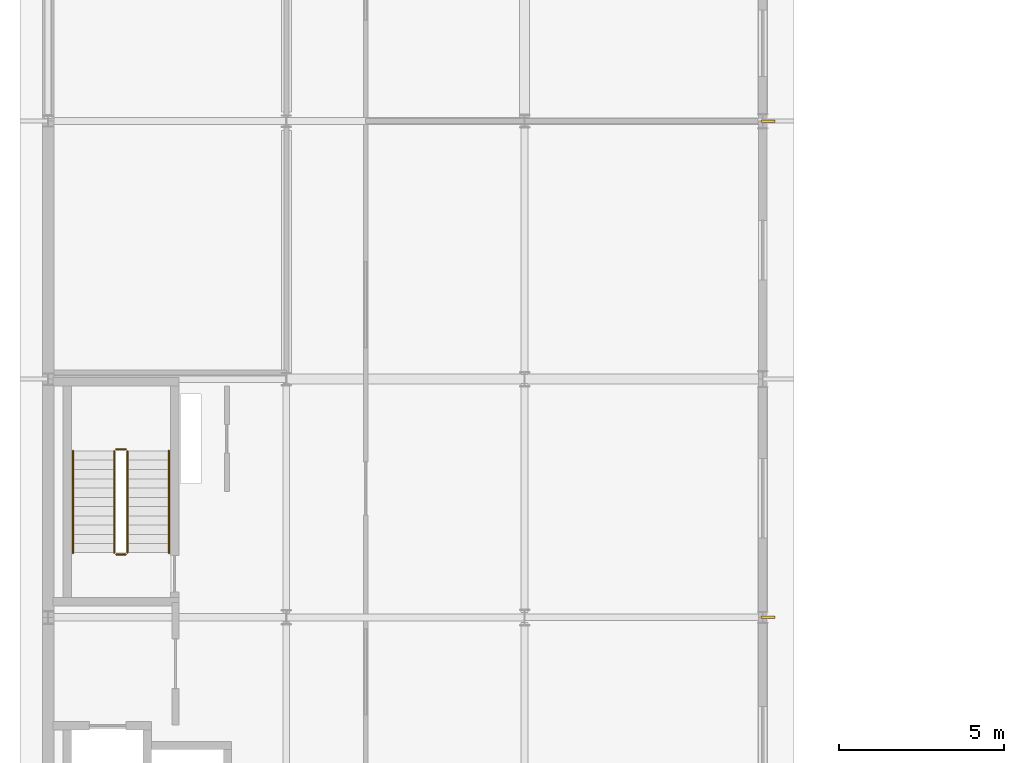
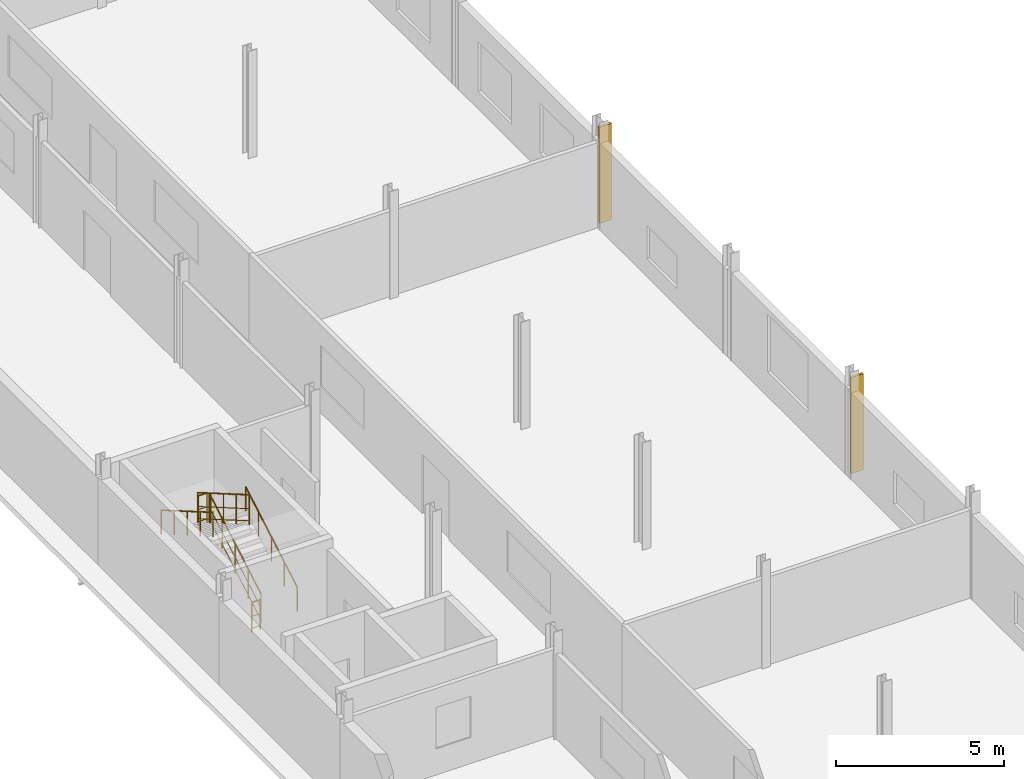
# One storey, part 48 of 49: 6 railings, 2 shading devices.
"""IFC4 building model written with IfcOpenShell, lengths in metres."""

from ifc_helpers import new_model, si_unit, direction, frame, origin, origin_2d, place, context, subcontext, project, spatial, rectangle, circle, extrude, material, type_object, element, save


model = new_model("IFC4")

# Units and contexts
model_context = context("Model", 3, precision=1e-05, world=origin(), true_north=direction((0.0, 1.0)))
body_context = subcontext(model_context, "Body", "Model", "MODEL_VIEW")
ifc_project = project(units=[si_unit("LENGTHUNIT", "METRE"), si_unit("AREAUNIT", "SQUARE_METRE"), si_unit("VOLUMEUNIT", "CUBIC_METRE"), si_unit("PLANEANGLEUNIT", "RADIAN"), si_unit("MASSUNIT", "GRAM", prefix="KILO")], contexts=[model_context])

# Site, building, storey
site_placement = place(None, origin())
site = spatial("IfcSite", under=ifc_project, at=site_placement, CompositionType="ELEMENT")
building_placement = place(site_placement, origin())
building = spatial("IfcBuilding", under=site, at=building_placement, Name="Vinh Khe Railworks Police Headquarters", CompositionType="ELEMENT")
storey_placement = place(building_placement, frame((0.0, 0.0, 17.10009765625)))
storey = spatial("IfcBuildingStorey", under=building, at=storey_placement, Name="L04", CompositionType="ELEMENT", Elevation=17.10009765625)

# Railings
ifc_material_1 = material(Name="Painted tubular steel", Category="steel")
railing_type_1 = type_object("IfcRailingType", Name="RL-GUARD-1100", PredefinedType="GUARDRAIL", material=ifc_material_1)
railing_1_placement = place(storey_placement, frame((3.0, 82.949951171875, 0.162353515625)))
element("IfcRailing", 1, at=railing_1_placement, inside=storey, type_object=railing_type_1, Name="L04 ST-02 stair guard 1", PredefinedType="GUARDRAIL", context=body_context, shape_type="SweptSolid", body=[
    extrude(circle(Radius=0.02392578125, at=origin_2d()), frame((0.0, 0.0, 1.076171875), z_axis=(0.0, 0.864890721111, 0.501960198159), x_axis=(-1.0, 0.0, 0.0)), (0.0, 0.0, 1.0), 3.561279296875),
    extrude(circle(Radius=0.01416015625, at=origin_2d()), frame((0.0, 0.0, 0.132080078125), z_axis=(0.0, 0.864890721111, 0.501960198159), x_axis=(-1.0, 0.0, 0.0)), (0.0, 0.0, 1.0), 3.561279296875),
    extrude(circle(Radius=0.01416015625, at=origin_2d()), frame((0.0, 0.0, 0.572021484375), z_axis=(0.0, 0.864890721111, 0.501960198159), x_axis=(-1.0, 0.0, 0.0)), (0.0, 0.0, 1.0), 3.561279296875),
    extrude(circle(Radius=0.02099609375, at=origin_2d()), origin(), (0.0, 0.0, 1.0), 1.052001953125),
    extrude(circle(Radius=0.02099609375, at=origin_2d()), frame((0.0, 0.77001953125, 0.44677734375)), (0.0, 0.0, 1.0), 1.052001953125),
    extrude(circle(Radius=0.02099609375, at=origin_2d()), frame((0.0, 1.5400390625, 0.893798828125)), (0.0, 0.0, 1.0), 1.052001953125),
    extrude(circle(Radius=0.02099609375, at=origin_2d()), frame((0.0, 2.31005859375, 1.3408203125)), (0.0, 0.0, 1.0), 1.052001953125),
    extrude(circle(Radius=0.02099609375, at=origin_2d()), frame((0.0, 3.080078125, 1.78759765625)), (0.0, 0.0, 1.0), 1.052001953125),
])
railing_2_placement = place(storey_placement, frame((2.949951171875, 86.080078125, 1.949951171875)))
element("IfcRailing", 2, at=railing_2_placement, inside=storey, type_object=railing_type_1, Name="L04 ST-02 stair guard 2", PredefinedType="GUARDRAIL", context=body_context, shape_type="SweptSolid", body=[
    extrude(circle(Radius=0.02392578125, at=origin_2d()), frame((0.0, 0.0, 1.076171875), z_axis=(-1.0, 0.0, 0.0), x_axis=(0.0, -1.0, 0.0)), (0.0, 0.0, 1.0), 0.300048828125),
    extrude(circle(Radius=0.01416015625, at=origin_2d()), frame((0.0, 0.0, 0.132080078125), z_axis=(-1.0, 0.0, 0.0), x_axis=(0.0, -1.0, 0.0)), (0.0, 0.0, 1.0), 0.300048828125),
    extrude(circle(Radius=0.01416015625, at=origin_2d()), frame((0.0, 0.0, 0.572021484375), z_axis=(-1.0, 0.0, 0.0), x_axis=(0.0, -1.0, 0.0)), (0.0, 0.0, 1.0), 0.300048828125),
    extrude(circle(Radius=0.02099609375, at=origin_2d()), origin(), (0.0, 0.0, 1.0), 1.052001953125),
    extrude(circle(Radius=0.02099609375, at=origin_2d()), frame((-0.300048828125, 0.0, 0.0)), (0.0, 0.0, 1.0), 1.052001953125),
])
railing_3_placement = place(storey_placement, frame((2.60009765625, 86.030029296875, 2.1123046875)))
element("IfcRailing", 3, at=railing_3_placement, inside=storey, type_object=railing_type_1, Name="L04 ST-02 stair guard 3", PredefinedType="GUARDRAIL", context=body_context, shape_type="SweptSolid", body=[
    extrude(circle(Radius=0.02392578125, at=origin_2d()), frame((0.0, 0.0, 1.076171875), z_axis=(0.0, -0.864890721111, 0.501960198159), x_axis=(1.0, 0.0, 0.0)), (0.0, 0.0, 1.0), 3.561279296875),
    extrude(circle(Radius=0.01416015625, at=origin_2d()), frame((0.0, 0.0, 0.132080078125), z_axis=(0.0, -0.864890721111, 0.501960198159), x_axis=(1.0, 0.0, 0.0)), (0.0, 0.0, 1.0), 3.561279296875),
    extrude(circle(Radius=0.01416015625, at=origin_2d()), frame((0.0, 0.0, 0.572021484375), z_axis=(0.0, -0.864890721111, 0.501960198159), x_axis=(1.0, 0.0, 0.0)), (0.0, 0.0, 1.0), 3.561279296875),
    extrude(circle(Radius=0.02099609375, at=origin_2d()), origin(), (0.0, 0.0, 1.0), 1.052001953125),
    extrude(circle(Radius=0.02099609375, at=origin_2d()), frame((0.0, -0.77001953125, 0.44677734375)), (0.0, 0.0, 1.0), 1.052001953125),
    extrude(circle(Radius=0.02099609375, at=origin_2d()), frame((0.0, -1.5400390625, 0.893798828125)), (0.0, 0.0, 1.0), 1.052001953125),
    extrude(circle(Radius=0.02099609375, at=origin_2d()), frame((0.0, -2.31005859375, 1.3408203125)), (0.0, 0.0, 1.0), 1.052001953125),
    extrude(circle(Radius=0.02099609375, at=origin_2d()), frame((0.0, -3.080078125, 1.78759765625)), (0.0, 0.0, 1.0), 1.052001953125),
])
railing_4_placement = place(storey_placement, frame((2.949951171875, 82.89990234375, 0.0)))
element("IfcRailing", 4, at=railing_4_placement, inside=storey, type_object=railing_type_1, Name="L04 ST-02 stair guard 4", PredefinedType="GUARDRAIL", context=body_context, shape_type="SweptSolid", body=[
    extrude(circle(Radius=0.02392578125, at=origin_2d()), frame((0.0, 0.0, 1.076171875), z_axis=(-1.0, 0.0, 0.0), x_axis=(0.0, -1.0, 0.0)), (0.0, 0.0, 1.0), 0.300048828125),
    extrude(circle(Radius=0.01416015625, at=origin_2d()), frame((0.0, 0.0, 0.132080078125), z_axis=(-1.0, 0.0, 0.0), x_axis=(0.0, -1.0, 0.0)), (0.0, 0.0, 1.0), 0.300048828125),
    extrude(circle(Radius=0.01416015625, at=origin_2d()), frame((0.0, 0.0, 0.572021484375), z_axis=(-1.0, 0.0, 0.0), x_axis=(0.0, -1.0, 0.0)), (0.0, 0.0, 1.0), 0.300048828125),
    extrude(circle(Radius=0.02099609375, at=origin_2d()), origin(), (0.0, 0.0, 1.0), 1.052001953125),
    extrude(circle(Radius=0.02099609375, at=origin_2d()), frame((-0.300048828125, 0.0, 0.0)), (0.0, 0.0, 1.0), 1.052001953125),
])
ifc_material_2 = material(Name="Brushed stainless steel", Category="steel")
railing_type_2 = type_object("IfcRailingType", Name="RL-HAND-900", PredefinedType="HANDRAIL", material=ifc_material_2)
railing_5_placement = place(storey_placement, frame((4.25, 82.949951171875, 0.162353515625)))
element("IfcRailing", 5, at=railing_5_placement, inside=storey, type_object=railing_type_2, Name="L04 ST-02 stair handrail 1", PredefinedType="HANDRAIL", context=body_context, shape_type="SweptSolid", body=[
    extrude(circle(Radius=0.02392578125, at=origin_2d()), frame((0.0, 0.0, 0.8759765625), z_axis=(0.0, 0.864890721111, 0.501960198159), x_axis=(-1.0, 0.0, 0.0)), (0.0, 0.0, 1.0), 3.561279296875),
    extrude(circle(Radius=0.02099609375, at=origin_2d()), origin(), (0.0, 0.0, 1.0), 0.851806640625),
    extrude(circle(Radius=0.02099609375, at=origin_2d()), frame((0.0, 0.77001953125, 0.44677734375)), (0.0, 0.0, 1.0), 0.851806640625),
    extrude(circle(Radius=0.02099609375, at=origin_2d()), frame((0.0, 1.5400390625, 0.893798828125)), (0.0, 0.0, 1.0), 0.851806640625),
    extrude(circle(Radius=0.02099609375, at=origin_2d()), frame((0.0, 2.31005859375, 1.3408203125)), (0.0, 0.0, 1.0), 0.851806640625),
    extrude(circle(Radius=0.02099609375, at=origin_2d()), frame((0.0, 3.080078125, 1.78759765625)), (0.0, 0.0, 1.0), 0.851806640625),
])
railing_6_placement = place(storey_placement, frame((1.35009765625, 86.030029296875, 2.1123046875)))
element("IfcRailing", 6, at=railing_6_placement, inside=storey, type_object=railing_type_2, Name="L04 ST-02 stair handrail 2", PredefinedType="HANDRAIL", context=body_context, shape_type="SweptSolid", body=[
    extrude(circle(Radius=0.02392578125, at=origin_2d()), frame((0.0, 0.0, 0.8759765625), z_axis=(0.0, -0.864890721111, 0.501960198159), x_axis=(1.0, 0.0, 0.0)), (0.0, 0.0, 1.0), 3.561279296875),
    extrude(circle(Radius=0.02099609375, at=origin_2d()), origin(), (0.0, 0.0, 1.0), 0.851806640625),
    extrude(circle(Radius=0.02099609375, at=origin_2d()), frame((0.0, -0.77001953125, 0.44677734375)), (0.0, 0.0, 1.0), 0.851806640625),
    extrude(circle(Radius=0.02099609375, at=origin_2d()), frame((0.0, -1.5400390625, 0.893798828125)), (0.0, 0.0, 1.0), 0.851806640625),
    extrude(circle(Radius=0.02099609375, at=origin_2d()), frame((0.0, -2.31005859375, 1.3408203125)), (0.0, 0.0, 1.0), 0.851806640625),
    extrude(circle(Radius=0.02099609375, at=origin_2d()), frame((0.0, -3.080078125, 1.78759765625)), (0.0, 0.0, 1.0), 0.851806640625),
])

# Shading devices
ifc_material_3 = material(Name="Salvaged ironwood timber", Category="wood")
shading_device_type = type_object("IfcShadingDeviceType", Name="SHD-MSF-01", PredefinedType="JALOUSIE", material=ifc_material_3)
for number, where, z_axis, x_axis, name in (
    (7, (22.360107421875, 81.0, 0.099853515625), (0.0, 0.0, 1.0), (1.0, 0.0, 0.0), "Monsoon Court Solar Fin V5 L04-5"),
    (8, (22.360107421875, 96.0, 0.099853515625), (0.0, 0.0, 1.0), (1.0, 0.0, 0.0), "Monsoon Court Solar Fin V5 L04-6"),
):
    element("IfcShadingDevice", number, at=place(storey_placement, frame(where, z_axis=z_axis, x_axis=x_axis)), inside=storey, type_object=shading_device_type, Name=name, PredefinedType="JALOUSIE", context=body_context, shape_type="SweptSolid", body=[
        extrude(rectangle(XDim=0.419921875, YDim=0.080078125, at=origin_2d()), origin(), (0.0, 0.0, 1.0), 3.5),
    ])

save(model, "model.ifc")
